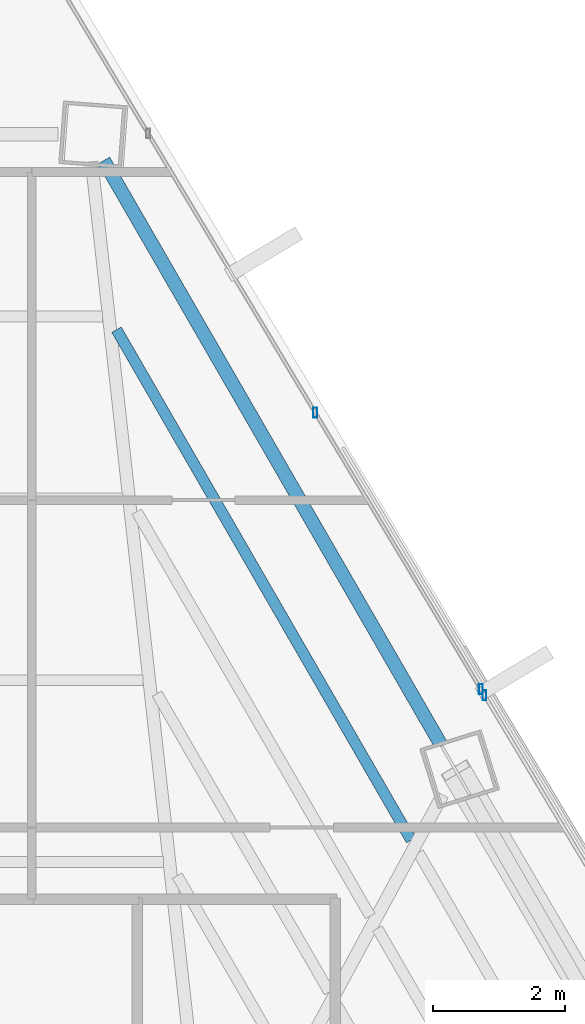
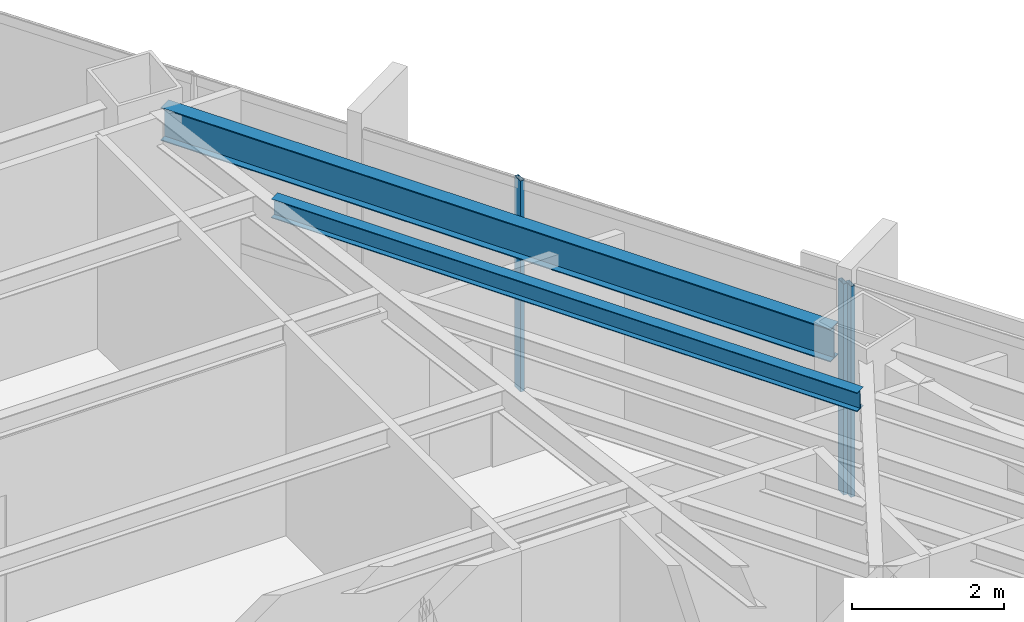
# One storey, part 31 of 40: 3 members, 2 beams, 2 elements without a shape of their own.
"""IFC4 building model written with IfcOpenShell, lengths in metres."""

from ifc_helpers import new_model, si_unit, direction, frame, origin, origin_2d, place, context, subcontext, project, spatial, hollow_rectangle, i_section, extrude, source, transform, mapped, material, material_profile, profile_set, type_object, type_shapes, element, aggregate, save


model = new_model("IFC4")

# Units and contexts
model_context = context("Model", 3, precision=1e-05, world=origin(), true_north=direction((0.0, 1.0)))
body_context = subcontext(model_context, "Body", "Model", "MODEL_VIEW")
ifc_project = project(units=[si_unit("LENGTHUNIT", "METRE"), si_unit("AREAUNIT", "SQUARE_METRE"), si_unit("VOLUMEUNIT", "CUBIC_METRE"), si_unit("PLANEANGLEUNIT", "RADIAN"), si_unit("MASSUNIT", "GRAM", prefix="KILO")], contexts=[model_context])

# Site, building, storey
site_placement = place(None, origin())
site = spatial("IfcSite", under=ifc_project, at=site_placement, CompositionType="ELEMENT")
building_placement = place(site_placement, origin())
building = spatial("IfcBuilding", under=site, at=building_placement, Name="Caelisora Broadcast Tower", CompositionType="ELEMENT")
storey_placement = place(building_placement, frame((0.0, 0.0, 176.75)))
storey = spatial("IfcBuildingStorey", under=building, at=storey_placement, Name="L46", CompositionType="ELEMENT", Elevation=176.75)

# Beams
ifc_material_1 = material(Name="Steel Grade 350 (AS/NZS 3679.1)", Category="steel")
ifc_material_profile_1 = material_profile(ifc_material_1, i_section(OverallWidth=0.208984375, OverallDepth=0.532958984375, WebThickness=0.01025390625, FlangeThickness=0.015625, at=origin_2d()), Name="Steel Grade 350 (AS/NZS 3679.1)")
ifc_profile_set_1 = profile_set([ifc_material_profile_1], Name="Steel Grade 350 (AS/NZS 3679.1)")
beam_type_1 = type_object("IfcBeamType", Name="PG05", PredefinedType="BEAM", material=ifc_profile_set_1)
shared_shape_1 = source(origin(), body_context, "Body", "SweptSolid", [
    extrude(i_section(OverallWidth=0.208984375, OverallDepth=0.532958984375, WebThickness=0.01025390625, FlangeThickness=0.015625, at=origin_2d()), origin(), (0.0, 0.0, 1.0), 10.206787109375),
])
type_shapes(beam_type_1, [shared_shape_1])
beam_1_placement = place(storey_placement, frame((48.994873046875, 37.30322265625, 3.133544921875), z_axis=(-0.499990243552, 0.866031036599, 0.0), x_axis=(-0.866031036599, -0.499990243552, 0.0)))
element("IfcBeam", 1, at=beam_1_placement, inside=storey, type_object=beam_type_1, Name="L46 beam PG05", PredefinedType="BEAM", context=body_context, shape_type="MappedRepresentation", body=[
    mapped(shared_shape_1, transform((0.0, 0.0, 0.0), scale=1.0)),
])
ifc_material_profile_2 = material_profile(ifc_material_1, i_section(OverallWidth=0.166015625, OverallDepth=0.30712890625, WebThickness=0.006591796875, FlangeThickness=0.01171875, at=origin_2d()), Name="Steel Grade 350 (AS/NZS 3679.1)")
ifc_profile_set_2 = profile_set([ifc_material_profile_2], Name="Steel Grade 350 (AS/NZS 3679.1)")
beam_type_2 = type_object("IfcBeamType", Name="SB03", PredefinedType="JOIST", material=ifc_profile_set_2)
shared_shape_2 = source(origin(), body_context, "Body", "SweptSolid", [
    extrude(i_section(OverallWidth=0.166015625, OverallDepth=0.30712890625, WebThickness=0.006591796875, FlangeThickness=0.01171875, at=origin_2d()), origin(), (0.0, 0.0, 1.0), 8.92822265625),
])
type_shapes(beam_type_2, [shared_shape_2])
beam_2_placement = place(storey_placement, frame((48.549560546875, 35.8486328125, 3.246337890625), z_axis=(-0.500006500783, 0.866021650523, 0.0), x_axis=(-0.866021650523, -0.500006500783, 0.0)))
element("IfcBeam", 2, at=beam_2_placement, inside=storey, type_object=beam_type_2, Name="L46 beam SB03", PredefinedType="JOIST", context=body_context, shape_type="MappedRepresentation", body=[
    mapped(shared_shape_2, transform((0.0, 0.0, 0.0), scale=1.0)),
])

# Curtain wall, members
ifc_material_2 = material(Name="Unitised Aluminium and Low-E Glass Curtain Wall", Category="glass")
curtain_wall_type_1 = type_object("IfcCurtainWallType", Name="CW-Z3", PredefinedType="NOTDEFINED", material=ifc_material_2)
curtain_wall_1_placement = place(storey_placement, origin())
curtain_wall_1 = element("IfcCurtainWall", 3, at=curtain_wall_1_placement, inside=storey, type_object=curtain_wall_type_1, Name="L46 curtain wall CW-Z3", PredefinedType="NOTDEFINED")
ifc_material_3 = material(Name="Aluminium 6063-T6 Anodised Terracotta Bronze", Category="aluminium")
ifc_material_profile_3 = material_profile(ifc_material_3, hollow_rectangle(XDim=0.06005859375, YDim=0.14990234375, WallThickness=0.00341796875, at=origin_2d()), Name="Aluminium 6063-T6 Anodised Terracotta Bronze")
ifc_profile_set_3 = profile_set([ifc_material_profile_3], Name="Aluminium 6063-T6 Anodised Terracotta Bronze")
member_type = type_object("IfcMemberType", Name="CWM-03", PredefinedType="MULLION", material=ifc_profile_set_3)
shared_shape_3 = source(origin(), body_context, "Body", "SweptSolid", [
    extrude(hollow_rectangle(XDim=0.06005859375, YDim=0.14990234375, WallThickness=0.00341796875, at=origin_2d()), origin(), (0.0, 0.0, 1.0), 3.39990234375),
])
type_shapes(member_type, [shared_shape_3])
member_1_placement = place(storey_placement, frame((47.095947265625, 42.323486328125, 0.0), z_axis=(0.0, 0.0, 1.0), x_axis=(1.0, 0.0, 0.0)))
member_1 = element("IfcMember", 4, at=member_1_placement, type_object=member_type, Name="L46-CW-B01 mullion #2", PredefinedType="MULLION", context=body_context, shape_type="MappedRepresentation", body=[
    mapped(shared_shape_3, transform((0.0, 0.0, 0.0), scale=1.0)),
])
member_2_placement = place(storey_placement, frame((49.603271484375, 38.13671875, 0.0), z_axis=(0.0, 0.0, 1.0), x_axis=(1.0, 0.0, 0.0)))
member_2 = element("IfcMember", 5, at=member_2_placement, type_object=member_type, Name="L46-CW-B01 mullion #3", PredefinedType="MULLION", context=body_context, shape_type="MappedRepresentation", body=[
    mapped(shared_shape_3, transform((0.0, 0.0, 0.0), scale=1.0)),
])
aggregate(curtain_wall_1, [member_1, member_2])

# Curtain wall, member
ifc_material_4 = material(Name="Unitised Aluminium Insulated Shadow-Box Spandrel Curtain Wall", Category="aluminium")
curtain_wall_type_2 = type_object("IfcCurtainWallType", Name="CW-SP2", PredefinedType="NOTDEFINED", material=ifc_material_4)
curtain_wall_2_placement = place(storey_placement, origin())
curtain_wall_2 = element("IfcCurtainWall", 6, at=curtain_wall_2_placement, inside=storey, type_object=curtain_wall_type_2, Name="L46 curtain wall CW-SP2", PredefinedType="NOTDEFINED")
member_3_placement = place(storey_placement, frame((49.659912109375, 38.042236328125, 0.0), z_axis=(0.0, 0.0, 1.0), x_axis=(1.0, 0.0, 0.0)))
member_3 = element("IfcMember", 7, at=member_3_placement, type_object=member_type, Name="L46-CW-B02 mullion #0", PredefinedType="MULLION", context=body_context, shape_type="MappedRepresentation", body=[
    mapped(shared_shape_3, transform((0.0, 0.0, 0.0), scale=1.0)),
])
aggregate(curtain_wall_2, [member_3])

save(model, "model.ifc")
